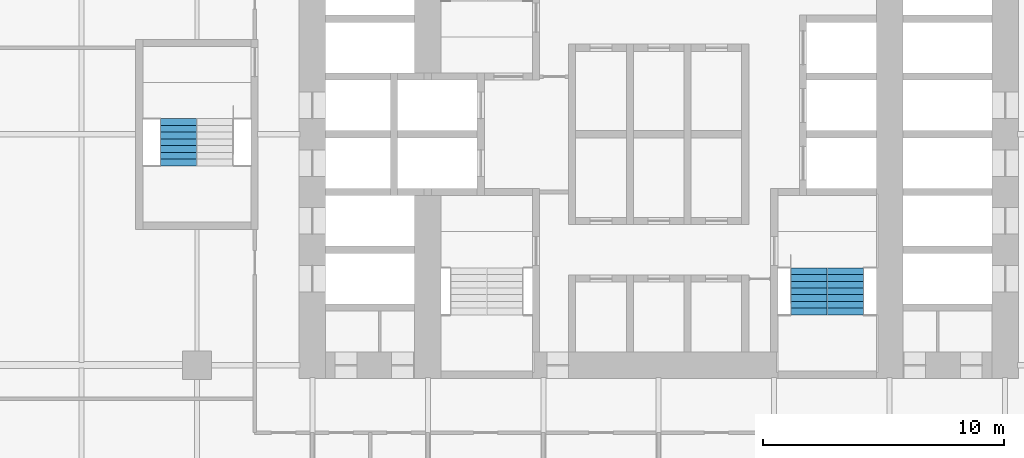
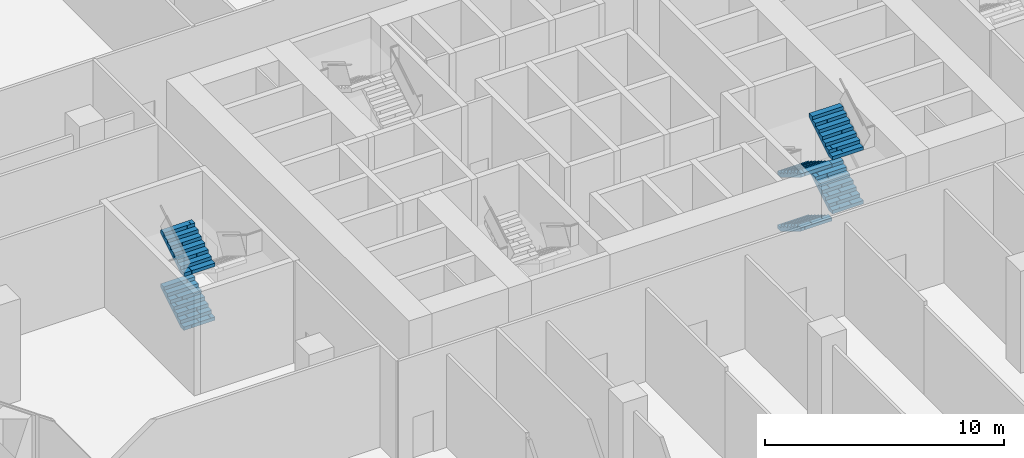
# One storey, part 23 of 27: 6 stair flights, 2 elements without a shape of their own.
"""IFC4 building model written with IfcOpenShell, lengths in metres."""

from ifc_helpers import new_model, si_unit, direction, frame, origin, place, context, subcontext, project, spatial, polyline, outline, extrude, material, type_object, element, aggregate, save


model = new_model("IFC4")

# Units and contexts
model_context = context("Model", 3, precision=1e-05, world=origin(), true_north=direction((0.0, 1.0)))
body_context = subcontext(model_context, "Body", "Model", "MODEL_VIEW")
ifc_project = project(units=[si_unit("LENGTHUNIT", "METRE"), si_unit("AREAUNIT", "SQUARE_METRE"), si_unit("VOLUMEUNIT", "CUBIC_METRE"), si_unit("PLANEANGLEUNIT", "RADIAN"), si_unit("MASSUNIT", "GRAM", prefix="KILO")], contexts=[model_context])

# Site, building, storey
site_placement = place(None, origin())
site = spatial("IfcSite", under=ifc_project, at=site_placement, CompositionType="ELEMENT")
building_placement = place(site_placement, origin())
building = spatial("IfcBuilding", under=site, at=building_placement, Name="Kolab Exchange Tower", CompositionType="ELEMENT")
storey_placement = place(building_placement, frame((0.0, 0.0, 66.39990234375)))
storey = spatial("IfcBuildingStorey", under=building, at=storey_placement, Name="L12", CompositionType="ELEMENT", Elevation=66.39990234375)

# Stair, stair flights
ifc_material = material(Name="Concrete C50/60", Category="concrete")
stair_type_1 = type_object("IfcStairType", Name="STAIR ST2 RISER 171.9", PredefinedType="DOUBLE_RETURN_STAIR", material=ifc_material)
stair_1_placement = place(storey_placement, origin())
stair_1 = element("IfcStair", 1, at=stair_1_placement, inside=storey, type_object=stair_type_1, Name="Stair 2", PredefinedType="DOUBLE_RETURN_STAIR")
stair_flight_type = type_object("IfcStairFlightType", Name="STAIR FLIGHT 1500 RISER 171.9", PredefinedType="STRAIGHT", material=ifc_material)
stair_flight_1_placement = place(storey_placement, frame((6.239990234375, -5.550048828125, 0.0), z_axis=(0.0, 0.0, 1.0), x_axis=(0.0, -1.0, 0.0)))
stair_flight_1 = element("IfcStairFlight", 2, at=stair_flight_1_placement, type_object=stair_flight_type, Name="ST2 flight 1", NumberOfRisers=8, NumberOfTreads=7, PredefinedType="STRAIGHT", RiserHeight=0.171875, TreadLength=0.28, context=body_context, shape_type="SweptSolid", body=[
    extrude(outline(polyline([(0.0, 0.0), (0.0, 0.171875), (0.280029296875, 0.171875), (0.280029296875, 0.34375), (0.56005859375, 0.34375), (0.56005859375, 0.515625), (0.840087890625, 0.515625), (0.840087890625, 0.6875), (1.1201171875, 0.6875), (1.1201171875, 0.859375), (1.39990234375, 0.859375), (1.39990234375, 1.03125), (1.679931640625, 1.03125), (1.679931640625, 1.203125), (1.9599609375, 1.203125), (1.9599609375, 1.375), (1.9599609375, 1.02734375), (0.28662109375, 0.0), (0.0, 0.0)])), frame((0.0, 0.75, 0.0), z_axis=(0.0, -1.0, 0.0), x_axis=(1.0, 0.0, 0.0)), (0.0, 0.0, 1.0), 0.185791015625),
    extrude(outline(polyline([(0.0, 0.0), (0.0, 0.171875), (0.280029296875, 0.171875), (0.280029296875, 0.34375), (0.56005859375, 0.34375), (0.56005859375, 0.515625), (0.840087890625, 0.515625), (0.840087890625, 0.6875), (1.1201171875, 0.6875), (1.1201171875, 0.859375), (1.39990234375, 0.859375), (1.39990234375, 1.03125), (1.679931640625, 1.03125), (1.679931640625, 1.203125), (1.9599609375, 1.203125), (1.9599609375, 1.375), (1.9599609375, 1.02734375), (0.28662109375, 0.0), (0.0, 0.0)])), frame((0.0, 0.562255859375, 0.0), z_axis=(0.0, -1.0, 0.0), x_axis=(1.0, 0.0, 0.0)), (0.0, 0.0, 1.0), 0.185791015625),
    extrude(outline(polyline([(0.0, 0.0), (0.0, 0.171875), (0.280029296875, 0.171875), (0.280029296875, 0.34375), (0.56005859375, 0.34375), (0.56005859375, 0.515625), (0.840087890625, 0.515625), (0.840087890625, 0.6875), (1.1201171875, 0.6875), (1.1201171875, 0.859375), (1.39990234375, 0.859375), (1.39990234375, 1.03125), (1.679931640625, 1.03125), (1.679931640625, 1.203125), (1.9599609375, 1.203125), (1.9599609375, 1.375), (1.9599609375, 1.02734375), (0.28662109375, 0.0), (0.0, 0.0)])), frame((0.0, 0.37451171875, 0.0), z_axis=(0.0, -1.0, 0.0), x_axis=(1.0, 0.0, 0.0)), (0.0, 0.0, 1.0), 0.185791015625),
    extrude(outline(polyline([(0.0, 0.0), (0.0, 0.171875), (0.280029296875, 0.171875), (0.280029296875, 0.34375), (0.56005859375, 0.34375), (0.56005859375, 0.515625), (0.840087890625, 0.515625), (0.840087890625, 0.6875), (1.1201171875, 0.6875), (1.1201171875, 0.859375), (1.39990234375, 0.859375), (1.39990234375, 1.03125), (1.679931640625, 1.03125), (1.679931640625, 1.203125), (1.9599609375, 1.203125), (1.9599609375, 1.375), (1.9599609375, 1.02734375), (0.28662109375, 0.0), (0.0, 0.0)])), frame((0.0, 0.186767578125, 0.0), z_axis=(0.0, -1.0, 0.0), x_axis=(1.0, 0.0, 0.0)), (0.0, 0.0, 1.0), 0.185791015625),
    extrude(outline(polyline([(0.0, 0.0), (0.0, 0.171875), (0.280029296875, 0.171875), (0.280029296875, 0.34375), (0.56005859375, 0.34375), (0.56005859375, 0.515625), (0.840087890625, 0.515625), (0.840087890625, 0.6875), (1.1201171875, 0.6875), (1.1201171875, 0.859375), (1.39990234375, 0.859375), (1.39990234375, 1.03125), (1.679931640625, 1.03125), (1.679931640625, 1.203125), (1.9599609375, 1.203125), (1.9599609375, 1.375), (1.9599609375, 1.02734375), (0.28662109375, 0.0), (0.0, 0.0)])), frame((0.0, -0.0009765625, 0.0), z_axis=(0.0, -1.0, 0.0), x_axis=(1.0, 0.0, 0.0)), (0.0, 0.0, 1.0), 0.185791015625),
    extrude(outline(polyline([(0.0, 0.0), (0.0, 0.171875), (0.280029296875, 0.171875), (0.280029296875, 0.34375), (0.56005859375, 0.34375), (0.56005859375, 0.515625), (0.840087890625, 0.515625), (0.840087890625, 0.6875), (1.1201171875, 0.6875), (1.1201171875, 0.859375), (1.39990234375, 0.859375), (1.39990234375, 1.03125), (1.679931640625, 1.03125), (1.679931640625, 1.203125), (1.9599609375, 1.203125), (1.9599609375, 1.375), (1.9599609375, 1.02734375), (0.28662109375, 0.0), (0.0, 0.0)])), frame((0.0, -0.188720703125, 0.0), z_axis=(0.0, -1.0, 0.0), x_axis=(1.0, 0.0, 0.0)), (0.0, 0.0, 1.0), 0.185791015625),
    extrude(outline(polyline([(0.0, 0.0), (0.0, 0.171875), (0.280029296875, 0.171875), (0.280029296875, 0.34375), (0.56005859375, 0.34375), (0.56005859375, 0.515625), (0.840087890625, 0.515625), (0.840087890625, 0.6875), (1.1201171875, 0.6875), (1.1201171875, 0.859375), (1.39990234375, 0.859375), (1.39990234375, 1.03125), (1.679931640625, 1.03125), (1.679931640625, 1.203125), (1.9599609375, 1.203125), (1.9599609375, 1.375), (1.9599609375, 1.02734375), (0.28662109375, 0.0), (0.0, 0.0)])), frame((0.0, -0.37646484375, 0.0), z_axis=(0.0, -1.0, 0.0), x_axis=(1.0, 0.0, 0.0)), (0.0, 0.0, 1.0), 0.185791015625),
    extrude(outline(polyline([(0.0, 0.0), (0.0, 0.171875), (0.280029296875, 0.171875), (0.280029296875, 0.34375), (0.56005859375, 0.34375), (0.56005859375, 0.515625), (0.840087890625, 0.515625), (0.840087890625, 0.6875), (1.1201171875, 0.6875), (1.1201171875, 0.859375), (1.39990234375, 0.859375), (1.39990234375, 1.03125), (1.679931640625, 1.03125), (1.679931640625, 1.203125), (1.9599609375, 1.203125), (1.9599609375, 1.375), (1.9599609375, 1.02734375), (0.28662109375, 0.0), (0.0, 0.0)])), frame((0.0, -0.564208984375, 0.0), z_axis=(0.0, -1.0, 0.0), x_axis=(1.0, 0.0, 0.0)), (0.0, 0.0, 1.0), 0.185791015625),
])
stair_flight_2_placement = place(storey_placement, frame((7.760009765625, -7.510009765625, 1.375), z_axis=(0.0, 0.0, 1.0), x_axis=(0.0, 1.0, 0.0)))
stair_flight_2 = element("IfcStairFlight", 3, at=stair_flight_2_placement, type_object=stair_flight_type, Name="ST2 flight 2", NumberOfRisers=8, NumberOfTreads=7, PredefinedType="STRAIGHT", RiserHeight=0.171875, TreadLength=0.28, context=body_context, shape_type="SweptSolid", body=[
    extrude(outline(polyline([(0.0, 0.0), (0.0, 0.171875), (0.280029296875, 0.171875), (0.280029296875, 0.34375), (0.56005859375, 0.34375), (0.56005859375, 0.515625), (0.840087890625, 0.515625), (0.840087890625, 0.6875), (1.1201171875, 0.6875), (1.1201171875, 0.859375), (1.39990234375, 0.859375), (1.39990234375, 1.03125), (1.679931640625, 1.03125), (1.679931640625, 1.203125), (1.9599609375, 1.203125), (1.9599609375, 1.375), (1.9599609375, 1.02734375), (0.28662109375, 0.0), (0.0, 0.0)])), frame((0.0, 0.75, 0.0), z_axis=(0.0, -1.0, 0.0), x_axis=(1.0, 0.0, 0.0)), (0.0, 0.0, 1.0), 0.185791015625),
    extrude(outline(polyline([(0.0, 0.0), (0.0, 0.171875), (0.280029296875, 0.171875), (0.280029296875, 0.34375), (0.56005859375, 0.34375), (0.56005859375, 0.515625), (0.840087890625, 0.515625), (0.840087890625, 0.6875), (1.1201171875, 0.6875), (1.1201171875, 0.859375), (1.39990234375, 0.859375), (1.39990234375, 1.03125), (1.679931640625, 1.03125), (1.679931640625, 1.203125), (1.9599609375, 1.203125), (1.9599609375, 1.375), (1.9599609375, 1.02734375), (0.28662109375, 0.0), (0.0, 0.0)])), frame((0.0, 0.562255859375, 0.0), z_axis=(0.0, -1.0, 0.0), x_axis=(1.0, 0.0, 0.0)), (0.0, 0.0, 1.0), 0.185791015625),
    extrude(outline(polyline([(0.0, 0.0), (0.0, 0.171875), (0.280029296875, 0.171875), (0.280029296875, 0.34375), (0.56005859375, 0.34375), (0.56005859375, 0.515625), (0.840087890625, 0.515625), (0.840087890625, 0.6875), (1.1201171875, 0.6875), (1.1201171875, 0.859375), (1.39990234375, 0.859375), (1.39990234375, 1.03125), (1.679931640625, 1.03125), (1.679931640625, 1.203125), (1.9599609375, 1.203125), (1.9599609375, 1.375), (1.9599609375, 1.02734375), (0.28662109375, 0.0), (0.0, 0.0)])), frame((0.0, 0.37451171875, 0.0), z_axis=(0.0, -1.0, 0.0), x_axis=(1.0, 0.0, 0.0)), (0.0, 0.0, 1.0), 0.185791015625),
    extrude(outline(polyline([(0.0, 0.0), (0.0, 0.171875), (0.280029296875, 0.171875), (0.280029296875, 0.34375), (0.56005859375, 0.34375), (0.56005859375, 0.515625), (0.840087890625, 0.515625), (0.840087890625, 0.6875), (1.1201171875, 0.6875), (1.1201171875, 0.859375), (1.39990234375, 0.859375), (1.39990234375, 1.03125), (1.679931640625, 1.03125), (1.679931640625, 1.203125), (1.9599609375, 1.203125), (1.9599609375, 1.375), (1.9599609375, 1.02734375), (0.28662109375, 0.0), (0.0, 0.0)])), frame((0.0, 0.186767578125, 0.0), z_axis=(0.0, -1.0, 0.0), x_axis=(1.0, 0.0, 0.0)), (0.0, 0.0, 1.0), 0.185791015625),
    extrude(outline(polyline([(0.0, 0.0), (0.0, 0.171875), (0.280029296875, 0.171875), (0.280029296875, 0.34375), (0.56005859375, 0.34375), (0.56005859375, 0.515625), (0.840087890625, 0.515625), (0.840087890625, 0.6875), (1.1201171875, 0.6875), (1.1201171875, 0.859375), (1.39990234375, 0.859375), (1.39990234375, 1.03125), (1.679931640625, 1.03125), (1.679931640625, 1.203125), (1.9599609375, 1.203125), (1.9599609375, 1.375), (1.9599609375, 1.02734375), (0.28662109375, 0.0), (0.0, 0.0)])), frame((0.0, -0.0009765625, 0.0), z_axis=(0.0, -1.0, 0.0), x_axis=(1.0, 0.0, 0.0)), (0.0, 0.0, 1.0), 0.185791015625),
    extrude(outline(polyline([(0.0, 0.0), (0.0, 0.171875), (0.280029296875, 0.171875), (0.280029296875, 0.34375), (0.56005859375, 0.34375), (0.56005859375, 0.515625), (0.840087890625, 0.515625), (0.840087890625, 0.6875), (1.1201171875, 0.6875), (1.1201171875, 0.859375), (1.39990234375, 0.859375), (1.39990234375, 1.03125), (1.679931640625, 1.03125), (1.679931640625, 1.203125), (1.9599609375, 1.203125), (1.9599609375, 1.375), (1.9599609375, 1.02734375), (0.28662109375, 0.0), (0.0, 0.0)])), frame((0.0, -0.188720703125, 0.0), z_axis=(0.0, -1.0, 0.0), x_axis=(1.0, 0.0, 0.0)), (0.0, 0.0, 1.0), 0.185791015625),
    extrude(outline(polyline([(0.0, 0.0), (0.0, 0.171875), (0.280029296875, 0.171875), (0.280029296875, 0.34375), (0.56005859375, 0.34375), (0.56005859375, 0.515625), (0.840087890625, 0.515625), (0.840087890625, 0.6875), (1.1201171875, 0.6875), (1.1201171875, 0.859375), (1.39990234375, 0.859375), (1.39990234375, 1.03125), (1.679931640625, 1.03125), (1.679931640625, 1.203125), (1.9599609375, 1.203125), (1.9599609375, 1.375), (1.9599609375, 1.02734375), (0.28662109375, 0.0), (0.0, 0.0)])), frame((0.0, -0.37646484375, 0.0), z_axis=(0.0, -1.0, 0.0), x_axis=(1.0, 0.0, 0.0)), (0.0, 0.0, 1.0), 0.185791015625),
    extrude(outline(polyline([(0.0, 0.0), (0.0, 0.171875), (0.280029296875, 0.171875), (0.280029296875, 0.34375), (0.56005859375, 0.34375), (0.56005859375, 0.515625), (0.840087890625, 0.515625), (0.840087890625, 0.6875), (1.1201171875, 0.6875), (1.1201171875, 0.859375), (1.39990234375, 0.859375), (1.39990234375, 1.03125), (1.679931640625, 1.03125), (1.679931640625, 1.203125), (1.9599609375, 1.203125), (1.9599609375, 1.375), (1.9599609375, 1.02734375), (0.28662109375, 0.0), (0.0, 0.0)])), frame((0.0, -0.564208984375, 0.0), z_axis=(0.0, -1.0, 0.0), x_axis=(1.0, 0.0, 0.0)), (0.0, 0.0, 1.0), 0.185791015625),
])
stair_flight_3_placement = place(storey_placement, frame((6.239990234375, -5.550048828125, 2.75), z_axis=(0.0, 0.0, 1.0), x_axis=(0.0, -1.0, 0.0)))
stair_flight_3 = element("IfcStairFlight", 4, at=stair_flight_3_placement, type_object=stair_flight_type, Name="ST2 flight 3", NumberOfRisers=8, NumberOfTreads=7, PredefinedType="STRAIGHT", RiserHeight=0.171875, TreadLength=0.28, context=body_context, shape_type="SweptSolid", body=[
    extrude(outline(polyline([(0.0, 0.0), (0.0, 0.171875), (0.280029296875, 0.171875), (0.280029296875, 0.34375), (0.56005859375, 0.34375), (0.56005859375, 0.515625), (0.840087890625, 0.515625), (0.840087890625, 0.6875), (1.1201171875, 0.6875), (1.1201171875, 0.859375), (1.39990234375, 0.859375), (1.39990234375, 1.03125), (1.679931640625, 1.03125), (1.679931640625, 1.203125), (1.9599609375, 1.203125), (1.9599609375, 1.375), (1.9599609375, 1.02734375), (0.28662109375, 0.0), (0.0, 0.0)])), frame((0.0, 0.75, 0.0), z_axis=(0.0, -1.0, 0.0), x_axis=(1.0, 0.0, 0.0)), (0.0, 0.0, 1.0), 0.185791015625),
    extrude(outline(polyline([(0.0, 0.0), (0.0, 0.171875), (0.280029296875, 0.171875), (0.280029296875, 0.34375), (0.56005859375, 0.34375), (0.56005859375, 0.515625), (0.840087890625, 0.515625), (0.840087890625, 0.6875), (1.1201171875, 0.6875), (1.1201171875, 0.859375), (1.39990234375, 0.859375), (1.39990234375, 1.03125), (1.679931640625, 1.03125), (1.679931640625, 1.203125), (1.9599609375, 1.203125), (1.9599609375, 1.375), (1.9599609375, 1.02734375), (0.28662109375, 0.0), (0.0, 0.0)])), frame((0.0, 0.562255859375, 0.0), z_axis=(0.0, -1.0, 0.0), x_axis=(1.0, 0.0, 0.0)), (0.0, 0.0, 1.0), 0.185791015625),
    extrude(outline(polyline([(0.0, 0.0), (0.0, 0.171875), (0.280029296875, 0.171875), (0.280029296875, 0.34375), (0.56005859375, 0.34375), (0.56005859375, 0.515625), (0.840087890625, 0.515625), (0.840087890625, 0.6875), (1.1201171875, 0.6875), (1.1201171875, 0.859375), (1.39990234375, 0.859375), (1.39990234375, 1.03125), (1.679931640625, 1.03125), (1.679931640625, 1.203125), (1.9599609375, 1.203125), (1.9599609375, 1.375), (1.9599609375, 1.02734375), (0.28662109375, 0.0), (0.0, 0.0)])), frame((0.0, 0.37451171875, 0.0), z_axis=(0.0, -1.0, 0.0), x_axis=(1.0, 0.0, 0.0)), (0.0, 0.0, 1.0), 0.185791015625),
    extrude(outline(polyline([(0.0, 0.0), (0.0, 0.171875), (0.280029296875, 0.171875), (0.280029296875, 0.34375), (0.56005859375, 0.34375), (0.56005859375, 0.515625), (0.840087890625, 0.515625), (0.840087890625, 0.6875), (1.1201171875, 0.6875), (1.1201171875, 0.859375), (1.39990234375, 0.859375), (1.39990234375, 1.03125), (1.679931640625, 1.03125), (1.679931640625, 1.203125), (1.9599609375, 1.203125), (1.9599609375, 1.375), (1.9599609375, 1.02734375), (0.28662109375, 0.0), (0.0, 0.0)])), frame((0.0, 0.186767578125, 0.0), z_axis=(0.0, -1.0, 0.0), x_axis=(1.0, 0.0, 0.0)), (0.0, 0.0, 1.0), 0.185791015625),
    extrude(outline(polyline([(0.0, 0.0), (0.0, 0.171875), (0.280029296875, 0.171875), (0.280029296875, 0.34375), (0.56005859375, 0.34375), (0.56005859375, 0.515625), (0.840087890625, 0.515625), (0.840087890625, 0.6875), (1.1201171875, 0.6875), (1.1201171875, 0.859375), (1.39990234375, 0.859375), (1.39990234375, 1.03125), (1.679931640625, 1.03125), (1.679931640625, 1.203125), (1.9599609375, 1.203125), (1.9599609375, 1.375), (1.9599609375, 1.02734375), (0.28662109375, 0.0), (0.0, 0.0)])), frame((0.0, -0.0009765625, 0.0), z_axis=(0.0, -1.0, 0.0), x_axis=(1.0, 0.0, 0.0)), (0.0, 0.0, 1.0), 0.185791015625),
    extrude(outline(polyline([(0.0, 0.0), (0.0, 0.171875), (0.280029296875, 0.171875), (0.280029296875, 0.34375), (0.56005859375, 0.34375), (0.56005859375, 0.515625), (0.840087890625, 0.515625), (0.840087890625, 0.6875), (1.1201171875, 0.6875), (1.1201171875, 0.859375), (1.39990234375, 0.859375), (1.39990234375, 1.03125), (1.679931640625, 1.03125), (1.679931640625, 1.203125), (1.9599609375, 1.203125), (1.9599609375, 1.375), (1.9599609375, 1.02734375), (0.28662109375, 0.0), (0.0, 0.0)])), frame((0.0, -0.188720703125, 0.0), z_axis=(0.0, -1.0, 0.0), x_axis=(1.0, 0.0, 0.0)), (0.0, 0.0, 1.0), 0.185791015625),
    extrude(outline(polyline([(0.0, 0.0), (0.0, 0.171875), (0.280029296875, 0.171875), (0.280029296875, 0.34375), (0.56005859375, 0.34375), (0.56005859375, 0.515625), (0.840087890625, 0.515625), (0.840087890625, 0.6875), (1.1201171875, 0.6875), (1.1201171875, 0.859375), (1.39990234375, 0.859375), (1.39990234375, 1.03125), (1.679931640625, 1.03125), (1.679931640625, 1.203125), (1.9599609375, 1.203125), (1.9599609375, 1.375), (1.9599609375, 1.02734375), (0.28662109375, 0.0), (0.0, 0.0)])), frame((0.0, -0.37646484375, 0.0), z_axis=(0.0, -1.0, 0.0), x_axis=(1.0, 0.0, 0.0)), (0.0, 0.0, 1.0), 0.185791015625),
    extrude(outline(polyline([(0.0, 0.0), (0.0, 0.171875), (0.280029296875, 0.171875), (0.280029296875, 0.34375), (0.56005859375, 0.34375), (0.56005859375, 0.515625), (0.840087890625, 0.515625), (0.840087890625, 0.6875), (1.1201171875, 0.6875), (1.1201171875, 0.859375), (1.39990234375, 0.859375), (1.39990234375, 1.03125), (1.679931640625, 1.03125), (1.679931640625, 1.203125), (1.9599609375, 1.203125), (1.9599609375, 1.375), (1.9599609375, 1.02734375), (0.28662109375, 0.0), (0.0, 0.0)])), frame((0.0, -0.564208984375, 0.0), z_axis=(0.0, -1.0, 0.0), x_axis=(1.0, 0.0, 0.0)), (0.0, 0.0, 1.0), 0.185791015625),
])
stair_flight_4_placement = place(storey_placement, frame((7.760009765625, -7.510009765625, 4.125), z_axis=(0.0, 0.0, 1.0), x_axis=(0.0, 1.0, 0.0)))
stair_flight_4 = element("IfcStairFlight", 5, at=stair_flight_4_placement, type_object=stair_flight_type, Name="ST2 flight 4", NumberOfRisers=8, NumberOfTreads=7, PredefinedType="STRAIGHT", RiserHeight=0.171875, TreadLength=0.28, context=body_context, shape_type="SweptSolid", body=[
    extrude(outline(polyline([(0.0, 0.0), (0.0, 0.171875), (0.280029296875, 0.171875), (0.280029296875, 0.34375), (0.56005859375, 0.34375), (0.56005859375, 0.515625), (0.840087890625, 0.515625), (0.840087890625, 0.6875), (1.1201171875, 0.6875), (1.1201171875, 0.859375), (1.39990234375, 0.859375), (1.39990234375, 1.03125), (1.679931640625, 1.03125), (1.679931640625, 1.203125), (1.9599609375, 1.203125), (1.9599609375, 1.375), (1.9599609375, 1.02734375), (0.28662109375, 0.0), (0.0, 0.0)])), frame((0.0, 0.75, 0.0), z_axis=(0.0, -1.0, 0.0), x_axis=(1.0, 0.0, 0.0)), (0.0, 0.0, 1.0), 0.185791015625),
    extrude(outline(polyline([(0.0, 0.0), (0.0, 0.171875), (0.280029296875, 0.171875), (0.280029296875, 0.34375), (0.56005859375, 0.34375), (0.56005859375, 0.515625), (0.840087890625, 0.515625), (0.840087890625, 0.6875), (1.1201171875, 0.6875), (1.1201171875, 0.859375), (1.39990234375, 0.859375), (1.39990234375, 1.03125), (1.679931640625, 1.03125), (1.679931640625, 1.203125), (1.9599609375, 1.203125), (1.9599609375, 1.375), (1.9599609375, 1.02734375), (0.28662109375, 0.0), (0.0, 0.0)])), frame((0.0, 0.562255859375, 0.0), z_axis=(0.0, -1.0, 0.0), x_axis=(1.0, 0.0, 0.0)), (0.0, 0.0, 1.0), 0.185791015625),
    extrude(outline(polyline([(0.0, 0.0), (0.0, 0.171875), (0.280029296875, 0.171875), (0.280029296875, 0.34375), (0.56005859375, 0.34375), (0.56005859375, 0.515625), (0.840087890625, 0.515625), (0.840087890625, 0.6875), (1.1201171875, 0.6875), (1.1201171875, 0.859375), (1.39990234375, 0.859375), (1.39990234375, 1.03125), (1.679931640625, 1.03125), (1.679931640625, 1.203125), (1.9599609375, 1.203125), (1.9599609375, 1.375), (1.9599609375, 1.02734375), (0.28662109375, 0.0), (0.0, 0.0)])), frame((0.0, 0.37451171875, 0.0), z_axis=(0.0, -1.0, 0.0), x_axis=(1.0, 0.0, 0.0)), (0.0, 0.0, 1.0), 0.185791015625),
    extrude(outline(polyline([(0.0, 0.0), (0.0, 0.171875), (0.280029296875, 0.171875), (0.280029296875, 0.34375), (0.56005859375, 0.34375), (0.56005859375, 0.515625), (0.840087890625, 0.515625), (0.840087890625, 0.6875), (1.1201171875, 0.6875), (1.1201171875, 0.859375), (1.39990234375, 0.859375), (1.39990234375, 1.03125), (1.679931640625, 1.03125), (1.679931640625, 1.203125), (1.9599609375, 1.203125), (1.9599609375, 1.375), (1.9599609375, 1.02734375), (0.28662109375, 0.0), (0.0, 0.0)])), frame((0.0, 0.186767578125, 0.0), z_axis=(0.0, -1.0, 0.0), x_axis=(1.0, 0.0, 0.0)), (0.0, 0.0, 1.0), 0.185791015625),
    extrude(outline(polyline([(0.0, 0.0), (0.0, 0.171875), (0.280029296875, 0.171875), (0.280029296875, 0.34375), (0.56005859375, 0.34375), (0.56005859375, 0.515625), (0.840087890625, 0.515625), (0.840087890625, 0.6875), (1.1201171875, 0.6875), (1.1201171875, 0.859375), (1.39990234375, 0.859375), (1.39990234375, 1.03125), (1.679931640625, 1.03125), (1.679931640625, 1.203125), (1.9599609375, 1.203125), (1.9599609375, 1.375), (1.9599609375, 1.02734375), (0.28662109375, 0.0), (0.0, 0.0)])), frame((0.0, -0.0009765625, 0.0), z_axis=(0.0, -1.0, 0.0), x_axis=(1.0, 0.0, 0.0)), (0.0, 0.0, 1.0), 0.185791015625),
    extrude(outline(polyline([(0.0, 0.0), (0.0, 0.171875), (0.280029296875, 0.171875), (0.280029296875, 0.34375), (0.56005859375, 0.34375), (0.56005859375, 0.515625), (0.840087890625, 0.515625), (0.840087890625, 0.6875), (1.1201171875, 0.6875), (1.1201171875, 0.859375), (1.39990234375, 0.859375), (1.39990234375, 1.03125), (1.679931640625, 1.03125), (1.679931640625, 1.203125), (1.9599609375, 1.203125), (1.9599609375, 1.375), (1.9599609375, 1.02734375), (0.28662109375, 0.0), (0.0, 0.0)])), frame((0.0, -0.188720703125, 0.0), z_axis=(0.0, -1.0, 0.0), x_axis=(1.0, 0.0, 0.0)), (0.0, 0.0, 1.0), 0.185791015625),
    extrude(outline(polyline([(0.0, 0.0), (0.0, 0.171875), (0.280029296875, 0.171875), (0.280029296875, 0.34375), (0.56005859375, 0.34375), (0.56005859375, 0.515625), (0.840087890625, 0.515625), (0.840087890625, 0.6875), (1.1201171875, 0.6875), (1.1201171875, 0.859375), (1.39990234375, 0.859375), (1.39990234375, 1.03125), (1.679931640625, 1.03125), (1.679931640625, 1.203125), (1.9599609375, 1.203125), (1.9599609375, 1.375), (1.9599609375, 1.02734375), (0.28662109375, 0.0), (0.0, 0.0)])), frame((0.0, -0.37646484375, 0.0), z_axis=(0.0, -1.0, 0.0), x_axis=(1.0, 0.0, 0.0)), (0.0, 0.0, 1.0), 0.185791015625),
    extrude(outline(polyline([(0.0, 0.0), (0.0, 0.171875), (0.280029296875, 0.171875), (0.280029296875, 0.34375), (0.56005859375, 0.34375), (0.56005859375, 0.515625), (0.840087890625, 0.515625), (0.840087890625, 0.6875), (1.1201171875, 0.6875), (1.1201171875, 0.859375), (1.39990234375, 0.859375), (1.39990234375, 1.03125), (1.679931640625, 1.03125), (1.679931640625, 1.203125), (1.9599609375, 1.203125), (1.9599609375, 1.375), (1.9599609375, 1.02734375), (0.28662109375, 0.0), (0.0, 0.0)])), frame((0.0, -0.564208984375, 0.0), z_axis=(0.0, -1.0, 0.0), x_axis=(1.0, 0.0, 0.0)), (0.0, 0.0, 1.0), 0.185791015625),
])
aggregate(stair_1, [stair_flight_1, stair_flight_2, stair_flight_3, stair_flight_4])

stair_type_2 = type_object("IfcStairType", Name="STAIR ST5 RISER 171.9", PredefinedType="DOUBLE_RETURN_STAIR", material=ifc_material)
stair_2_placement = place(storey_placement, origin())
stair_2 = element("IfcStair", 6, at=stair_2_placement, inside=storey, type_object=stair_type_2, Name="Stair 5", PredefinedType="DOUBLE_RETURN_STAIR")
stair_flight_5_placement = place(storey_placement, frame((-19.9599609375, -1.31005859375, 1.375), z_axis=(0.0, 0.0, 1.0), x_axis=(0.0, 1.0, 0.0)))
stair_flight_5 = element("IfcStairFlight", 7, at=stair_flight_5_placement, type_object=stair_flight_type, Name="ST5 flight 2", NumberOfRisers=8, NumberOfTreads=7, PredefinedType="STRAIGHT", RiserHeight=0.171875, TreadLength=0.28, context=body_context, shape_type="SweptSolid", body=[
    extrude(outline(polyline([(0.0, 0.0), (0.0, 0.171875), (0.280029296875, 0.171875), (0.280029296875, 0.34375), (0.56005859375, 0.34375), (0.56005859375, 0.515625), (0.840087890625, 0.515625), (0.840087890625, 0.6875), (1.1201171875, 0.6875), (1.1201171875, 0.859375), (1.39990234375, 0.859375), (1.39990234375, 1.03125), (1.679931640625, 1.03125), (1.679931640625, 1.203125), (1.9599609375, 1.203125), (1.9599609375, 1.375), (1.9599609375, 1.02734375), (0.28662109375, 0.0), (0.0, 0.0)])), frame((0.0, 0.75, 0.0), z_axis=(0.0, -1.0, 0.0), x_axis=(1.0, 0.0, 0.0)), (0.0, 0.0, 1.0), 0.185791015625),
    extrude(outline(polyline([(0.0, 0.0), (0.0, 0.171875), (0.280029296875, 0.171875), (0.280029296875, 0.34375), (0.56005859375, 0.34375), (0.56005859375, 0.515625), (0.840087890625, 0.515625), (0.840087890625, 0.6875), (1.1201171875, 0.6875), (1.1201171875, 0.859375), (1.39990234375, 0.859375), (1.39990234375, 1.03125), (1.679931640625, 1.03125), (1.679931640625, 1.203125), (1.9599609375, 1.203125), (1.9599609375, 1.375), (1.9599609375, 1.02734375), (0.28662109375, 0.0), (0.0, 0.0)])), frame((0.0, 0.562255859375, 0.0), z_axis=(0.0, -1.0, 0.0), x_axis=(1.0, 0.0, 0.0)), (0.0, 0.0, 1.0), 0.185791015625),
    extrude(outline(polyline([(0.0, 0.0), (0.0, 0.171875), (0.280029296875, 0.171875), (0.280029296875, 0.34375), (0.56005859375, 0.34375), (0.56005859375, 0.515625), (0.840087890625, 0.515625), (0.840087890625, 0.6875), (1.1201171875, 0.6875), (1.1201171875, 0.859375), (1.39990234375, 0.859375), (1.39990234375, 1.03125), (1.679931640625, 1.03125), (1.679931640625, 1.203125), (1.9599609375, 1.203125), (1.9599609375, 1.375), (1.9599609375, 1.02734375), (0.28662109375, 0.0), (0.0, 0.0)])), frame((0.0, 0.37451171875, 0.0), z_axis=(0.0, -1.0, 0.0), x_axis=(1.0, 0.0, 0.0)), (0.0, 0.0, 1.0), 0.185791015625),
    extrude(outline(polyline([(0.0, 0.0), (0.0, 0.171875), (0.280029296875, 0.171875), (0.280029296875, 0.34375), (0.56005859375, 0.34375), (0.56005859375, 0.515625), (0.840087890625, 0.515625), (0.840087890625, 0.6875), (1.1201171875, 0.6875), (1.1201171875, 0.859375), (1.39990234375, 0.859375), (1.39990234375, 1.03125), (1.679931640625, 1.03125), (1.679931640625, 1.203125), (1.9599609375, 1.203125), (1.9599609375, 1.375), (1.9599609375, 1.02734375), (0.28662109375, 0.0), (0.0, 0.0)])), frame((0.0, 0.186767578125, 0.0), z_axis=(0.0, -1.0, 0.0), x_axis=(1.0, 0.0, 0.0)), (0.0, 0.0, 1.0), 0.185791015625),
    extrude(outline(polyline([(0.0, 0.0), (0.0, 0.171875), (0.280029296875, 0.171875), (0.280029296875, 0.34375), (0.56005859375, 0.34375), (0.56005859375, 0.515625), (0.840087890625, 0.515625), (0.840087890625, 0.6875), (1.1201171875, 0.6875), (1.1201171875, 0.859375), (1.39990234375, 0.859375), (1.39990234375, 1.03125), (1.679931640625, 1.03125), (1.679931640625, 1.203125), (1.9599609375, 1.203125), (1.9599609375, 1.375), (1.9599609375, 1.02734375), (0.28662109375, 0.0), (0.0, 0.0)])), frame((0.0, -0.0009765625, 0.0), z_axis=(0.0, -1.0, 0.0), x_axis=(1.0, 0.0, 0.0)), (0.0, 0.0, 1.0), 0.185791015625),
    extrude(outline(polyline([(0.0, 0.0), (0.0, 0.171875), (0.280029296875, 0.171875), (0.280029296875, 0.34375), (0.56005859375, 0.34375), (0.56005859375, 0.515625), (0.840087890625, 0.515625), (0.840087890625, 0.6875), (1.1201171875, 0.6875), (1.1201171875, 0.859375), (1.39990234375, 0.859375), (1.39990234375, 1.03125), (1.679931640625, 1.03125), (1.679931640625, 1.203125), (1.9599609375, 1.203125), (1.9599609375, 1.375), (1.9599609375, 1.02734375), (0.28662109375, 0.0), (0.0, 0.0)])), frame((0.0, -0.188720703125, 0.0), z_axis=(0.0, -1.0, 0.0), x_axis=(1.0, 0.0, 0.0)), (0.0, 0.0, 1.0), 0.185791015625),
    extrude(outline(polyline([(0.0, 0.0), (0.0, 0.171875), (0.280029296875, 0.171875), (0.280029296875, 0.34375), (0.56005859375, 0.34375), (0.56005859375, 0.515625), (0.840087890625, 0.515625), (0.840087890625, 0.6875), (1.1201171875, 0.6875), (1.1201171875, 0.859375), (1.39990234375, 0.859375), (1.39990234375, 1.03125), (1.679931640625, 1.03125), (1.679931640625, 1.203125), (1.9599609375, 1.203125), (1.9599609375, 1.375), (1.9599609375, 1.02734375), (0.28662109375, 0.0), (0.0, 0.0)])), frame((0.0, -0.37646484375, 0.0), z_axis=(0.0, -1.0, 0.0), x_axis=(1.0, 0.0, 0.0)), (0.0, 0.0, 1.0), 0.185791015625),
    extrude(outline(polyline([(0.0, 0.0), (0.0, 0.171875), (0.280029296875, 0.171875), (0.280029296875, 0.34375), (0.56005859375, 0.34375), (0.56005859375, 0.515625), (0.840087890625, 0.515625), (0.840087890625, 0.6875), (1.1201171875, 0.6875), (1.1201171875, 0.859375), (1.39990234375, 0.859375), (1.39990234375, 1.03125), (1.679931640625, 1.03125), (1.679931640625, 1.203125), (1.9599609375, 1.203125), (1.9599609375, 1.375), (1.9599609375, 1.02734375), (0.28662109375, 0.0), (0.0, 0.0)])), frame((0.0, -0.564208984375, 0.0), z_axis=(0.0, -1.0, 0.0), x_axis=(1.0, 0.0, 0.0)), (0.0, 0.0, 1.0), 0.185791015625),
])
stair_flight_6_placement = place(storey_placement, frame((-19.9599609375, -1.31005859375, 4.125), z_axis=(0.0, 0.0, 1.0), x_axis=(0.0, 1.0, 0.0)))
stair_flight_6 = element("IfcStairFlight", 8, at=stair_flight_6_placement, type_object=stair_flight_type, Name="ST5 flight 4", NumberOfRisers=8, NumberOfTreads=7, PredefinedType="STRAIGHT", RiserHeight=0.171875, TreadLength=0.28, context=body_context, shape_type="SweptSolid", body=[
    extrude(outline(polyline([(0.0, 0.0), (0.0, 0.171875), (0.280029296875, 0.171875), (0.280029296875, 0.34375), (0.56005859375, 0.34375), (0.56005859375, 0.515625), (0.840087890625, 0.515625), (0.840087890625, 0.6875), (1.1201171875, 0.6875), (1.1201171875, 0.859375), (1.39990234375, 0.859375), (1.39990234375, 1.03125), (1.679931640625, 1.03125), (1.679931640625, 1.203125), (1.9599609375, 1.203125), (1.9599609375, 1.375), (1.9599609375, 1.02734375), (0.28662109375, 0.0), (0.0, 0.0)])), frame((0.0, 0.75, 0.0), z_axis=(0.0, -1.0, 0.0), x_axis=(1.0, 0.0, 0.0)), (0.0, 0.0, 1.0), 0.185791015625),
    extrude(outline(polyline([(0.0, 0.0), (0.0, 0.171875), (0.280029296875, 0.171875), (0.280029296875, 0.34375), (0.56005859375, 0.34375), (0.56005859375, 0.515625), (0.840087890625, 0.515625), (0.840087890625, 0.6875), (1.1201171875, 0.6875), (1.1201171875, 0.859375), (1.39990234375, 0.859375), (1.39990234375, 1.03125), (1.679931640625, 1.03125), (1.679931640625, 1.203125), (1.9599609375, 1.203125), (1.9599609375, 1.375), (1.9599609375, 1.02734375), (0.28662109375, 0.0), (0.0, 0.0)])), frame((0.0, 0.562255859375, 0.0), z_axis=(0.0, -1.0, 0.0), x_axis=(1.0, 0.0, 0.0)), (0.0, 0.0, 1.0), 0.185791015625),
    extrude(outline(polyline([(0.0, 0.0), (0.0, 0.171875), (0.280029296875, 0.171875), (0.280029296875, 0.34375), (0.56005859375, 0.34375), (0.56005859375, 0.515625), (0.840087890625, 0.515625), (0.840087890625, 0.6875), (1.1201171875, 0.6875), (1.1201171875, 0.859375), (1.39990234375, 0.859375), (1.39990234375, 1.03125), (1.679931640625, 1.03125), (1.679931640625, 1.203125), (1.9599609375, 1.203125), (1.9599609375, 1.375), (1.9599609375, 1.02734375), (0.28662109375, 0.0), (0.0, 0.0)])), frame((0.0, 0.37451171875, 0.0), z_axis=(0.0, -1.0, 0.0), x_axis=(1.0, 0.0, 0.0)), (0.0, 0.0, 1.0), 0.185791015625),
    extrude(outline(polyline([(0.0, 0.0), (0.0, 0.171875), (0.280029296875, 0.171875), (0.280029296875, 0.34375), (0.56005859375, 0.34375), (0.56005859375, 0.515625), (0.840087890625, 0.515625), (0.840087890625, 0.6875), (1.1201171875, 0.6875), (1.1201171875, 0.859375), (1.39990234375, 0.859375), (1.39990234375, 1.03125), (1.679931640625, 1.03125), (1.679931640625, 1.203125), (1.9599609375, 1.203125), (1.9599609375, 1.375), (1.9599609375, 1.02734375), (0.28662109375, 0.0), (0.0, 0.0)])), frame((0.0, 0.186767578125, 0.0), z_axis=(0.0, -1.0, 0.0), x_axis=(1.0, 0.0, 0.0)), (0.0, 0.0, 1.0), 0.185791015625),
    extrude(outline(polyline([(0.0, 0.0), (0.0, 0.171875), (0.280029296875, 0.171875), (0.280029296875, 0.34375), (0.56005859375, 0.34375), (0.56005859375, 0.515625), (0.840087890625, 0.515625), (0.840087890625, 0.6875), (1.1201171875, 0.6875), (1.1201171875, 0.859375), (1.39990234375, 0.859375), (1.39990234375, 1.03125), (1.679931640625, 1.03125), (1.679931640625, 1.203125), (1.9599609375, 1.203125), (1.9599609375, 1.375), (1.9599609375, 1.02734375), (0.28662109375, 0.0), (0.0, 0.0)])), frame((0.0, -0.0009765625, 0.0), z_axis=(0.0, -1.0, 0.0), x_axis=(1.0, 0.0, 0.0)), (0.0, 0.0, 1.0), 0.185791015625),
    extrude(outline(polyline([(0.0, 0.0), (0.0, 0.171875), (0.280029296875, 0.171875), (0.280029296875, 0.34375), (0.56005859375, 0.34375), (0.56005859375, 0.515625), (0.840087890625, 0.515625), (0.840087890625, 0.6875), (1.1201171875, 0.6875), (1.1201171875, 0.859375), (1.39990234375, 0.859375), (1.39990234375, 1.03125), (1.679931640625, 1.03125), (1.679931640625, 1.203125), (1.9599609375, 1.203125), (1.9599609375, 1.375), (1.9599609375, 1.02734375), (0.28662109375, 0.0), (0.0, 0.0)])), frame((0.0, -0.188720703125, 0.0), z_axis=(0.0, -1.0, 0.0), x_axis=(1.0, 0.0, 0.0)), (0.0, 0.0, 1.0), 0.185791015625),
    extrude(outline(polyline([(0.0, 0.0), (0.0, 0.171875), (0.280029296875, 0.171875), (0.280029296875, 0.34375), (0.56005859375, 0.34375), (0.56005859375, 0.515625), (0.840087890625, 0.515625), (0.840087890625, 0.6875), (1.1201171875, 0.6875), (1.1201171875, 0.859375), (1.39990234375, 0.859375), (1.39990234375, 1.03125), (1.679931640625, 1.03125), (1.679931640625, 1.203125), (1.9599609375, 1.203125), (1.9599609375, 1.375), (1.9599609375, 1.02734375), (0.28662109375, 0.0), (0.0, 0.0)])), frame((0.0, -0.37646484375, 0.0), z_axis=(0.0, -1.0, 0.0), x_axis=(1.0, 0.0, 0.0)), (0.0, 0.0, 1.0), 0.185791015625),
    extrude(outline(polyline([(0.0, 0.0), (0.0, 0.171875), (0.280029296875, 0.171875), (0.280029296875, 0.34375), (0.56005859375, 0.34375), (0.56005859375, 0.515625), (0.840087890625, 0.515625), (0.840087890625, 0.6875), (1.1201171875, 0.6875), (1.1201171875, 0.859375), (1.39990234375, 0.859375), (1.39990234375, 1.03125), (1.679931640625, 1.03125), (1.679931640625, 1.203125), (1.9599609375, 1.203125), (1.9599609375, 1.375), (1.9599609375, 1.02734375), (0.28662109375, 0.0), (0.0, 0.0)])), frame((0.0, -0.564208984375, 0.0), z_axis=(0.0, -1.0, 0.0), x_axis=(1.0, 0.0, 0.0)), (0.0, 0.0, 1.0), 0.185791015625),
])
aggregate(stair_2, [stair_flight_5, stair_flight_6])

save(model, "model.ifc")
